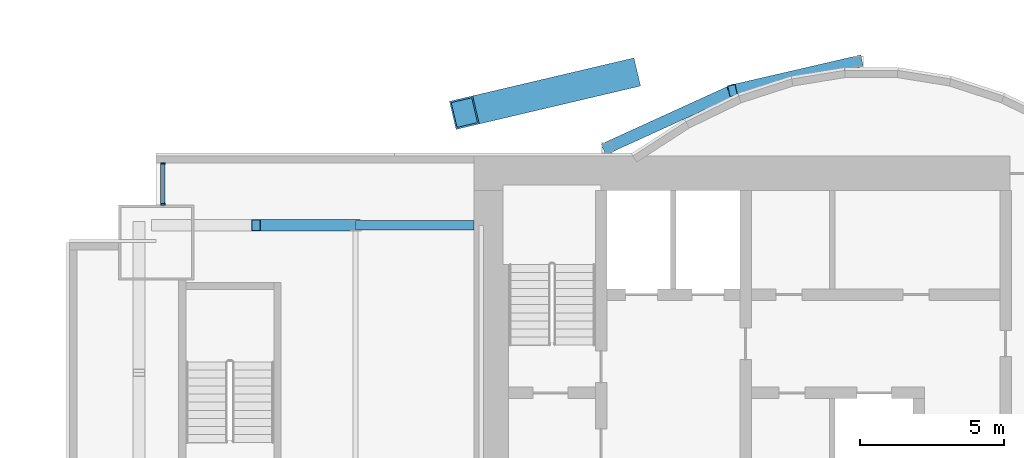
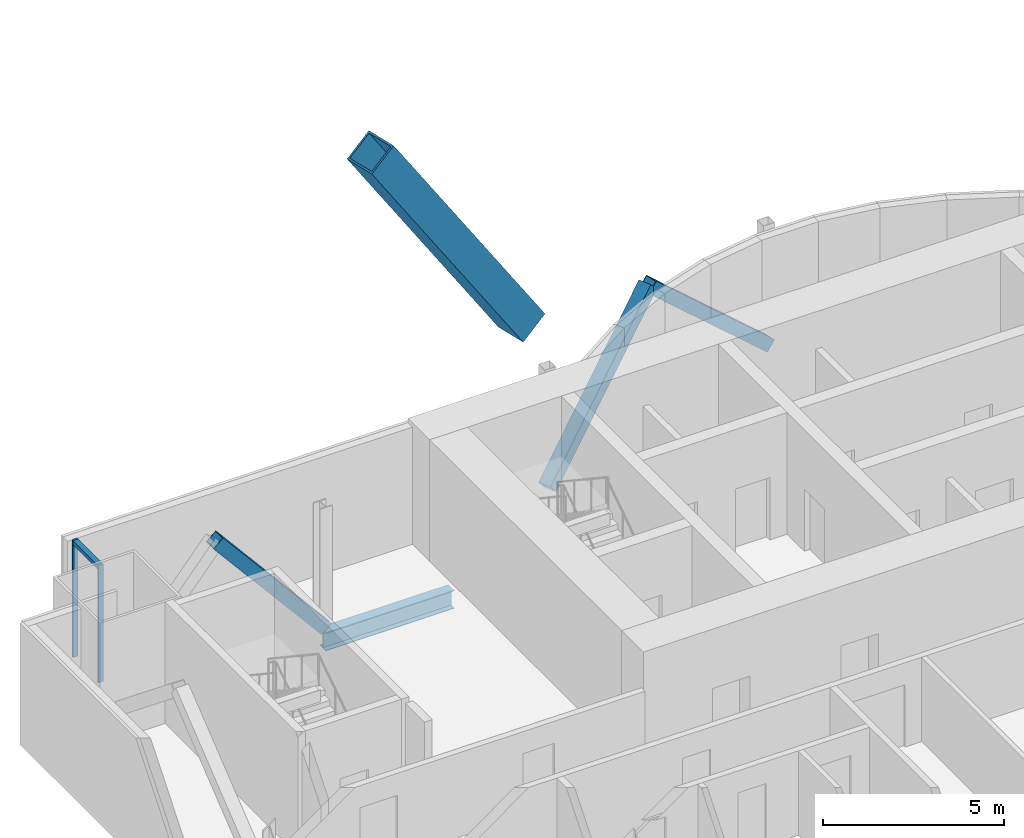
# One storey, part 12 of 24: 7 members, 1 beam, 1 element without a shape of its own.
"""IFC4 building model written with IfcOpenShell, lengths in metres."""

from ifc_helpers import new_model, si_unit, direction, frame, origin, origin_2d, place, context, subcontext, project, spatial, rectangle, hollow_rectangle, i_section, extrude, material, material_profile, profile_set, type_object, element, aggregate, save


model = new_model("IFC4")

# Units and contexts
model_context = context("Model", 3, precision=1e-05, world=origin(), true_north=direction((0.0, 1.0)))
body_context = subcontext(model_context, "Body", "Model", "MODEL_VIEW")
ifc_project = project(units=[si_unit("LENGTHUNIT", "METRE"), si_unit("AREAUNIT", "SQUARE_METRE"), si_unit("VOLUMEUNIT", "CUBIC_METRE"), si_unit("PLANEANGLEUNIT", "RADIAN"), si_unit("MASSUNIT", "GRAM", prefix="KILO")], contexts=[model_context])

# Site, building, storey
site_placement = place(None, origin())
site = spatial("IfcSite", under=ifc_project, at=site_placement, CompositionType="ELEMENT")
building_placement = place(site_placement, origin())
building = spatial("IfcBuilding", under=site, at=building_placement, Name="Bicima Exchange Tower", CompositionType="ELEMENT")
storey_placement = place(building_placement, frame((0.0, 0.0, 160.89990234375)))
storey = spatial("IfcBuildingStorey", under=building, at=storey_placement, Name="L35", CompositionType="ELEMENT", Elevation=160.89990234375)

# Member
ifc_material_1 = material(Name="Steel ASTM A572 Gr 50", Category="steel")
ifc_material_profile_1 = material_profile(ifc_material_1, hollow_rectangle(XDim=1.0, YDim=1.0, WallThickness=0.06005859375, at=origin_2d()))
ifc_profile_set_1 = profile_set([ifc_material_profile_1], Name="Steel ASTM A572 Gr 50")
member_type_1 = type_object("IfcMemberType", Name="Exo mega brace BOX 1000x1000x60", PredefinedType="BRACE", material=ifc_profile_set_1)
member_1_placement = place(storey_placement, frame((-16.75, 2.8125, 3.85009765625), z_axis=(-0.54817644634, -0.128864251848, 0.826375573377), x_axis=(0.228840031766, -0.973464041381, 0.0)))
element("IfcMember", 1, at=member_1_placement, inside=storey, type_object=member_type_1, Name="Exo mega brace rear", PredefinedType="BRACE", context=body_context, shape_type="SweptSolid", body=[
    extrude(hollow_rectangle(XDim=1.0, YDim=1.0, WallThickness=0.06005859375, at=origin_2d()), origin(), (0.0, 0.0, 1.0), 10.18505859375),
])

# Curtain wall, members
ifc_material_2 = material(Name="Anodised bronze aluminium", Category="aluminium")
curtain_wall_type = type_object("IfcCurtainWallType", Name="Front glass wall", PredefinedType="NOTDEFINED", material=ifc_material_2)
curtain_wall_placement = place(storey_placement, origin())
curtain_wall = element("IfcCurtainWall", 2, at=curtain_wall_placement, inside=storey, type_object=curtain_wall_type, Name="Front glass wall L35 run 1", PredefinedType="NOTDEFINED")
ifc_material_profile_2 = material_profile(ifc_material_2, rectangle(XDim=0.159912109375, YDim=0.06005859375, at=origin_2d()))
ifc_profile_set_2 = profile_set([ifc_material_profile_2], Name="Anodised bronze aluminium")
member_type_2 = type_object("IfcMemberType", Name="Front glass wall mullion 60 x 160", PredefinedType="MULLION", material=ifc_profile_set_2)
member_2_placement = place(storey_placement, frame((-32.77001953125, -0.260009765625, 0.0), z_axis=(0.0, 0.0, 1.0), x_axis=(1.0, 0.0, 0.0)))
member_2 = element("IfcMember", 3, at=member_2_placement, type_object=member_type_2, Name="Front glass wall mullion 1", PredefinedType="MULLION", context=body_context, shape_type="SweptSolid", body=[
    extrude(rectangle(XDim=0.159912109375, YDim=0.06005859375, at=origin_2d()), origin(), (0.0, 0.0, 1.0), 3.9501953125),
])
member_3_placement = place(storey_placement, frame((-32.77001953125, -1.669921875, 0.0), z_axis=(0.0, 0.0, 1.0), x_axis=(1.0, 0.0, 0.0)))
member_3 = element("IfcMember", 4, at=member_3_placement, type_object=member_type_2, Name="Front glass wall mullion 2", PredefinedType="MULLION", context=body_context, shape_type="SweptSolid", body=[
    extrude(rectangle(XDim=0.159912109375, YDim=0.06005859375, at=origin_2d()), origin(), (0.0, 0.0, 1.0), 3.9501953125),
])
ifc_material_profile_3 = material_profile(ifc_material_2, rectangle(XDim=0.159912109375, YDim=0.139892578125, at=origin_2d()))
ifc_profile_set_3 = profile_set([ifc_material_profile_3], Name="Anodised bronze aluminium")
member_type_3 = type_object("IfcMemberType", Name="Front glass wall transom 140 x 160", PredefinedType="USERDEFINED", material=ifc_profile_set_3)
member_4_placement = place(storey_placement, frame((-32.77001953125, -0.2900390625, 3.880126953125), z_axis=(0.0, -1.0, 0.0), x_axis=(1.0, 0.0, 0.0)))
member_4 = element("IfcMember", 5, at=member_4_placement, type_object=member_type_3, Name="Front glass wall transom 1.1", ObjectType="TRANSOM", PredefinedType="USERDEFINED", context=body_context, shape_type="SweptSolid", body=[
    extrude(rectangle(XDim=0.159912109375, YDim=0.139892578125, at=origin_2d()), origin(), (0.0, 0.0, 1.0), 1.349853515625),
])
aggregate(curtain_wall, [member_2, member_3, member_4])

# Members
ifc_material_profile_4 = material_profile(ifc_material_1, hollow_rectangle(XDim=0.406494140625, YDim=0.406494140625, WallThickness=0.017822265625, at=origin_2d()))
ifc_profile_set_4 = profile_set([ifc_material_profile_4], Name="Steel ASTM A572 Gr 50")
member_type_4 = type_object("IfcMemberType", Name="Mega brace HSS16x16x3/4", PredefinedType="BRACE", material=ifc_profile_set_4)
member_5_placement = place(storey_placement, frame((-17.39990234375, 0.278076171875, 0.0), z_axis=(0.690628963585, 0.315060460011, 0.650975069565), x_axis=(-0.415045223819, 0.909800781592, 0.0)))
element("IfcMember", 6, at=member_5_placement, inside=storey, type_object=member_type_4, Name="Mega brace rexo", PredefinedType="BRACE", context=body_context, shape_type="SweptSolid", body=[
    extrude(hollow_rectangle(XDim=0.406494140625, YDim=0.406494140625, WallThickness=0.017822265625, at=origin_2d()), origin(), (0.0, 0.0, 1.0), 6.29833984375),
])
member_6_placement = place(storey_placement, frame((-8.699951171875, 3.26904296875, 0.0), z_axis=(-0.717605620354, -0.166050509188, 0.676364843878), x_axis=(0.225438503722, -0.974257399787, 0.0)))
element("IfcMember", 7, at=member_6_placement, inside=storey, type_object=member_type_4, Name="Mega brace rexo", PredefinedType="BRACE", context=body_context, shape_type="SweptSolid", body=[
    extrude(hollow_rectangle(XDim=0.406494140625, YDim=0.406494140625, WallThickness=0.017822265625, at=origin_2d()), origin(), (0.0, 0.0, 1.0), 6.06201171875),
])
member_7_placement = place(storey_placement, frame((-26.10009765625, -2.39990234375, 0.0), z_axis=(-0.643834042494, 0.0, 0.765165162384), x_axis=(0.0, -1.0, 0.0)))
element("IfcMember", 8, at=member_7_placement, inside=storey, type_object=member_type_4, Name="Mega brace rear", PredefinedType="BRACE", context=body_context, shape_type="SweptSolid", body=[
    extrude(hollow_rectangle(XDim=0.406494140625, YDim=0.406494140625, WallThickness=0.017822265625, at=origin_2d()), origin(), (0.0, 0.0, 1.0), 5.3583984375),
])

# Beam
ifc_material_3 = material(Name="Steel ASTM A992 Gr 50", Category="steel")
ifc_material_profile_5 = material_profile(ifc_material_3, i_section(OverallWidth=0.3251953125, OverallDepth=0.612060546875, WebThickness=0.0126953125, FlangeThickness=0.01904296875, at=origin_2d()))
ifc_profile_set_5 = profile_set([ifc_material_profile_5], Name="Steel ASTM A992 Gr 50")
beam_type = type_object("IfcBeamType", Name="Rear girder W24x104", PredefinedType="BEAM", material=ifc_profile_set_5)
beam_placement = place(storey_placement, frame((-22.0, -2.39990234375, -0.4560546875), z_axis=(-1.0, 0.0, 0.0), x_axis=(0.0, -1.0, 0.0)))
element("IfcBeam", 9, at=beam_placement, inside=storey, type_object=beam_type, Name="Rear girder", PredefinedType="BEAM", context=body_context, shape_type="SweptSolid", body=[
    extrude(i_section(OverallWidth=0.3251953125, OverallDepth=0.612060546875, WebThickness=0.0126953125, FlangeThickness=0.01904296875, at=origin_2d()), origin(), (0.0, 0.0, 1.0), 4.10009765625),
])

save(model, "model.ifc")
